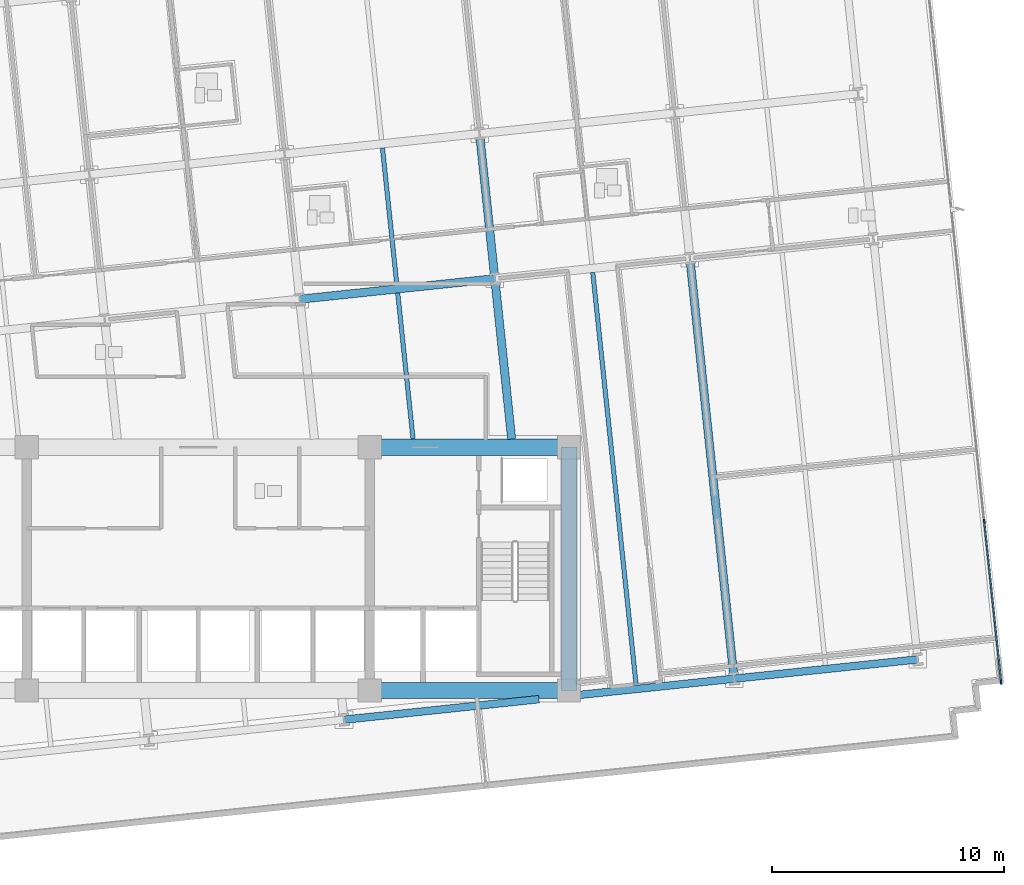
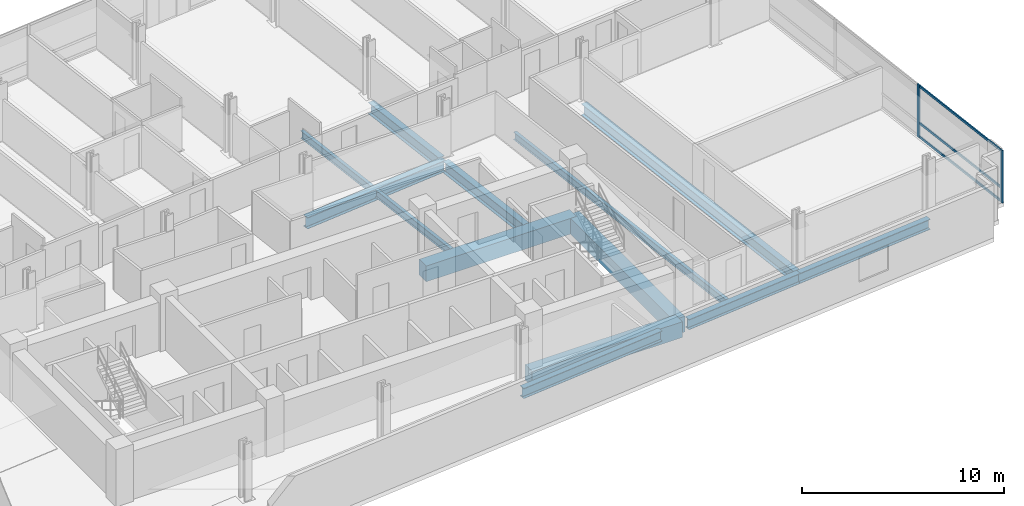
# One storey, part 4 of 20: 13 beams, 5 members, 1 element without a shape of its own.
"""IFC4 building model written with IfcOpenShell, lengths in metres."""

from ifc_helpers import new_model, si_unit, direction, frame, origin, origin_2d, place, context, subcontext, project, spatial, rectangle, i_section, extrude, material, material_profile, profile_set, type_object, element, aggregate, save


model = new_model("IFC4")

# Units and contexts
model_context = context("Model", 3, precision=1e-05, world=origin(), true_north=direction((0.0, 1.0)))
body_context = subcontext(model_context, "Body", "Model", "MODEL_VIEW")
ifc_project = project(units=[si_unit("LENGTHUNIT", "METRE"), si_unit("AREAUNIT", "SQUARE_METRE"), si_unit("VOLUMEUNIT", "CUBIC_METRE"), si_unit("PLANEANGLEUNIT", "RADIAN"), si_unit("MASSUNIT", "GRAM", prefix="KILO")], contexts=[model_context])

# Site, building, storey
site_placement = place(None, origin())
site = spatial("IfcSite", under=ifc_project, at=site_placement, CompositionType="ELEMENT")
building_placement = place(site_placement, origin())
building = spatial("IfcBuilding", under=site, at=building_placement, Name="Solmavex Isthmus Hotel", CompositionType="ELEMENT")
storey_placement = place(building_placement, frame((0.0, 0.0, 87.0)))
storey = spatial("IfcBuildingStorey", under=building, at=storey_placement, Name="L23", CompositionType="ELEMENT", Elevation=87.0)

# Beams
ifc_material_1 = material(Name="Steel ASTM A992 Grade 50", Category="steel")
ifc_material_profile_1 = material_profile(ifc_material_1, i_section(OverallWidth=0.354736328125, OverallDepth=0.695556640625, WebThickness=0.015380859375, FlangeThickness=0.02490234375, FilletRadius=0.017822265625, at=origin_2d()), Name="W27X146")
ifc_profile_set_1 = profile_set([ifc_material_profile_1], Name="Steel ASTM A992 Grade 50")
beam_type_1 = type_object("IfcBeamType", Name="BM-BG-W27X146", PredefinedType="BEAM", material=ifc_profile_set_1)
beam_1_placement = place(storey_placement, frame((4.38037109375, 3.888427734375, -0.607666015625), z_axis=(0.994521085209, 0.104536171134, 0.0), x_axis=(-0.104536171134, 0.994521085209, 0.0)))
element("IfcBeam", 1, at=beam_1_placement, inside=storey, type_object=beam_type_1, Name="Floor Girder L23-UG10", PredefinedType="BEAM", context=body_context, shape_type="SweptSolid", body=[
    extrude(i_section(OverallWidth=0.354736328125, OverallDepth=0.695556640625, WebThickness=0.015380859375, FlangeThickness=0.02490234375, FilletRadius=0.017822265625, at=origin_2d()), origin(), (0.0, 0.0, 1.0), 8.466064453125),
])
beam_2_placement = place(storey_placement, frame((13.52783203125, -2.14990234375, -0.607666015625), z_axis=(-0.104544283528, 0.994520232465, 0.0), x_axis=(-0.994520232465, -0.104544283528, 0.0)))
element("IfcBeam", 2, at=beam_2_placement, inside=storey, type_object=beam_type_1, Name="Floor Beam L23-VG40", PredefinedType="BEAM", context=body_context, shape_type="SweptSolid", body=[
    extrude(i_section(OverallWidth=0.354736328125, OverallDepth=0.695556640625, WebThickness=0.015380859375, FlangeThickness=0.02490234375, FilletRadius=0.017822265625, at=origin_2d()), origin(), (0.0, 0.0, 1.0), 6.783935546875),
])
beam_3_placement = place(storey_placement, frame((12.781494140625, 4.949951171875, -0.607666015625), z_axis=(-0.104505160346, 0.994524344328, 0.0), x_axis=(-0.994524344328, -0.104505160346, 0.0)))
element("IfcBeam", 3, at=beam_3_placement, inside=storey, type_object=beam_type_1, Name="Floor Beam L23-VG41", PredefinedType="BEAM", context=body_context, shape_type="SweptSolid", body=[
    extrude(i_section(OverallWidth=0.354736328125, OverallDepth=0.695556640625, WebThickness=0.015380859375, FlangeThickness=0.02490234375, FilletRadius=0.017822265625, at=origin_2d()), origin(), (0.0, 0.0, 1.0), 5.943115234375),
])
beam_4_placement = place(storey_placement, frame((23.1103515625, -12.329345703125, -0.607666015625), z_axis=(-0.104530088192, 0.99452172458, 0.0), x_axis=(-0.99452172458, -0.104530088192, 0.0)))
element("IfcBeam", 4, at=beam_4_placement, inside=storey, type_object=beam_type_1, Name="Floor Beam L23-VG43", PredefinedType="BEAM", context=body_context, shape_type="SweptSolid", body=[
    extrude(i_section(OverallWidth=0.354736328125, OverallDepth=0.695556640625, WebThickness=0.015380859375, FlangeThickness=0.02490234375, FilletRadius=0.017822265625, at=origin_2d()), origin(), (0.0, 0.0, 1.0), 17.909423828125),
])
ifc_material_profile_2 = material_profile(ifc_material_1, i_section(OverallWidth=0.1904296875, OverallDepth=0.456787109375, WebThickness=0.009033203125, FlangeThickness=0.014404296875, FilletRadius=0.0126953125, at=origin_2d()), Name="W18X50")
ifc_profile_set_2 = profile_set([ifc_material_profile_2], Name="Steel ASTM A992 Grade 50")
beam_type_2 = type_object("IfcBeamType", Name="BM-BJ-W18X50", PredefinedType="JOIST", material=ifc_profile_set_2)
beam_5_placement = place(storey_placement, frame((9.271484375, -2.14990234375, -0.488525390625), z_axis=(-0.104524400071, 0.994522322419, 0.0), x_axis=(-0.994522322419, -0.104524400071, 0.0)))
element("IfcBeam", 5, at=beam_5_placement, inside=storey, type_object=beam_type_2, Name="Secondary Floor Joist L23-J13", PredefinedType="JOIST", context=body_context, shape_type="SweptSolid", body=[
    extrude(i_section(OverallWidth=0.1904296875, OverallDepth=0.456787109375, WebThickness=0.009033203125, FlangeThickness=0.014404296875, FilletRadius=0.0126953125, at=origin_2d()), origin(), (0.0, 0.0, 1.0), 6.339111328125),
])
beam_6_placement = place(storey_placement, frame((8.57177734375, 4.50732421875, -0.488525390625), z_axis=(-0.104545790518, 0.994520074048, 0.0), x_axis=(-0.994520074048, -0.104545790518, 0.0)))
element("IfcBeam", 6, at=beam_6_placement, inside=storey, type_object=beam_type_2, Name="Secondary Floor Joist L23-J14", PredefinedType="JOIST", context=body_context, shape_type="SweptSolid", body=[
    extrude(i_section(OverallWidth=0.1904296875, OverallDepth=0.456787109375, WebThickness=0.009033203125, FlangeThickness=0.014404296875, FilletRadius=0.0126953125, at=origin_2d()), origin(), (0.0, 0.0, 1.0), 5.943115234375),
])
beam_7_placement = place(storey_placement, frame((18.900390625, -12.771728515625, -0.488525390625), z_axis=(-0.104516605126, 0.994523141638, 0.0), x_axis=(-0.994523141638, -0.104516605126, 0.0)))
element("IfcBeam", 7, at=beam_7_placement, inside=storey, type_object=beam_type_2, Name="Secondary Floor Joist L23-J16", PredefinedType="JOIST", context=body_context, shape_type="SweptSolid", body=[
    extrude(i_section(OverallWidth=0.1904296875, OverallDepth=0.456787109375, WebThickness=0.009033203125, FlangeThickness=0.014404296875, FilletRadius=0.0126953125, at=origin_2d()), origin(), (0.0, 0.0, 1.0), 17.909423828125),
])
ifc_material_2 = material(Name="Concrete C60/75", Category="concrete")
ifc_material_profile_3 = material_profile(ifc_material_2, rectangle(XDim=0.699951171875, YDim=0.949951171875, at=origin_2d()), Name="RC700X950")
ifc_profile_set_3 = profile_set([ifc_material_profile_3], Name="Concrete C60/75")
beam_type_3 = type_object("IfcBeamType", Name="BM-CB-700X950", PredefinedType="BEAM", material=ifc_profile_set_3)
for number, where, z_axis, x_axis, name in (
    (8, (7.39990234375, -13.0, -0.735107421875), (1.0, 0.0, 0.0), (0.0, 1.0, 0.0), "Core Coupling Beam L23-CB3"),
    (9, (7.39990234375, -2.5, -0.735107421875), (1.0, 0.0, 0.0), (0.0, 1.0, 0.0), "Core Coupling Beam L23-CB6"),
):
    element("IfcBeam", number, at=place(storey_placement, frame(where, z_axis=z_axis, x_axis=x_axis)), inside=storey, type_object=beam_type_3, Name=name, PredefinedType="BEAM", context=body_context, shape_type="SweptSolid", body=[
        extrude(rectangle(XDim=0.699951171875, YDim=0.949951171875, at=origin_2d()), origin(), (0.0, 0.0, 1.0), 8.60009765625),
    ])
beam_8_placement = place(storey_placement, frame((16.0, -13.0, -0.735107421875), z_axis=(0.0, 1.0, 0.0), x_axis=(-1.0, 0.0, 0.0)))
element("IfcBeam", 10, at=beam_8_placement, inside=storey, type_object=beam_type_3, Name="Core Coupling Beam L23-CB8", PredefinedType="BEAM", context=body_context, shape_type="SweptSolid", body=[
    extrude(rectangle(XDim=0.699951171875, YDim=0.949951171875, at=origin_2d()), origin(), (0.0, 0.0, 1.0), 10.5),
])
ifc_material_profile_4 = material_profile(ifc_material_1, i_section(OverallWidth=0.326416015625, OverallDepth=0.621826171875, WebThickness=0.015380859375, FlangeThickness=0.0244140625, FilletRadius=0.01513671875, at=origin_2d()), Name="W24X131")
ifc_profile_set_4 = profile_set([ifc_material_profile_4], Name="Steel ASTM A992 Grade 50")
beam_type_4 = type_object("IfcBeamType", Name="BM-SP-W24X131", PredefinedType="SPANDREL", material=ifc_profile_set_4)
beam_9_placement = place(storey_placement, frame((6.2880859375, -14.261474609375, -0.57080078125), z_axis=(0.994524082861, 0.104507648572, 0.0), x_axis=(-0.104507648572, 0.994524082861, 0.0)))
element("IfcBeam", 11, at=beam_9_placement, inside=storey, type_object=beam_type_4, Name="Floor Girder L23-UG04", PredefinedType="SPANDREL", context=body_context, shape_type="SweptSolid", body=[
    extrude(i_section(OverallWidth=0.326416015625, OverallDepth=0.621826171875, WebThickness=0.015380859375, FlangeThickness=0.0244140625, FilletRadius=0.01513671875, at=origin_2d()), origin(), (0.0, 0.0, 1.0), 8.466064453125),
])
beam_10_placement = place(storey_placement, frame((16.35009765625, -13.2041015625, -0.57080078125), z_axis=(0.994520754079, 0.10453932134, 0.0), x_axis=(-0.10453932134, 0.994520754079, 0.0)))
element("IfcBeam", 12, at=beam_10_placement, inside=storey, type_object=beam_type_4, Name="Floor Girder L23-UG05", PredefinedType="SPANDREL", context=body_context, shape_type="SweptSolid", body=[
    extrude(i_section(OverallWidth=0.326416015625, OverallDepth=0.621826171875, WebThickness=0.015380859375, FlangeThickness=0.0244140625, FilletRadius=0.01513671875, at=origin_2d()), origin(), (0.0, 0.0, 1.0), 6.814697265625),
])
beam_11_placement = place(storey_placement, frame((23.12744140625, -12.49169921875, -0.57080078125), z_axis=(0.994520217478, 0.10454442609, 0.0), x_axis=(-0.10454442609, 0.994520217478, 0.0)))
element("IfcBeam", 13, at=beam_11_placement, inside=storey, type_object=beam_type_4, Name="Floor Girder L23-UG06", PredefinedType="SPANDREL", context=body_context, shape_type="SweptSolid", body=[
    extrude(i_section(OverallWidth=0.326416015625, OverallDepth=0.621826171875, WebThickness=0.015380859375, FlangeThickness=0.0244140625, FilletRadius=0.01513671875, at=origin_2d()), origin(), (0.0, 0.0, 1.0), 7.968017578125),
])

# Curtain wall, members
ifc_material_3 = material(Name="Aluminium alloy 6063-T6", Category="aluminium")
curtain_wall_type = type_object("IfcCurtainWallType", Name="CW-SYS-03", PredefinedType="NOTDEFINED", material=ifc_material_3)
curtain_wall_placement = place(storey_placement, origin())
curtain_wall = element("IfcCurtainWall", 14, at=curtain_wall_placement, inside=storey, type_object=curtain_wall_type, Name="Stick Curtain Wall CWL-L23-E1", PredefinedType="NOTDEFINED")
ifc_material_profile_5 = material_profile(ifc_material_3, rectangle(XDim=0.070068359375, YDim=0.179931640625, at=origin_2d()), Name="CWM-70X180")
ifc_profile_set_5 = profile_set([ifc_material_profile_5], Name="Aluminium alloy 6063-T6")
member_type_1 = type_object("IfcMemberType", Name="CW-SYS-03-MUL", PredefinedType="MULLION", material=ifc_profile_set_5)
member_1_placement = place(storey_placement, frame((34.6552734375, -12.652587890625, 0.0), z_axis=(0.0, 0.0, 1.0), x_axis=(-0.994521893044, -0.104528485381, 0.0)))
member_1 = element("IfcMember", 15, at=member_1_placement, type_object=member_type_1, Name="CW-03 mullion 1", PredefinedType="MULLION", context=body_context, shape_type="SweptSolid", body=[
    extrude(rectangle(XDim=0.070068359375, YDim=0.179931640625, at=origin_2d()), origin(), (0.0, 0.0, 1.0), 3.18994140625),
])
member_2_placement = place(storey_placement, frame((33.92529296875, -5.705810546875, 0.0), z_axis=(0.0, 0.0, 1.0), x_axis=(-0.994521893044, -0.104528485381, 0.0)))
member_2 = element("IfcMember", 16, at=member_2_placement, type_object=member_type_1, Name="CW-03 mullion 2", PredefinedType="MULLION", context=body_context, shape_type="SweptSolid", body=[
    extrude(rectangle(XDim=0.070068359375, YDim=0.179931640625, at=origin_2d()), origin(), (0.0, 0.0, 1.0), 3.18994140625),
])
ifc_material_profile_6 = material_profile(ifc_material_3, rectangle(XDim=0.070068359375, YDim=0.139892578125, at=origin_2d()), Name="CWT-70X140")
ifc_profile_set_6 = profile_set([ifc_material_profile_6], Name="Aluminium alloy 6063-T6")
member_type_2 = type_object("IfcMemberType", Name="CW-SYS-03-TRN", PredefinedType="USERDEFINED", material=ifc_profile_set_6)
member_3_placement = place(storey_placement, frame((34.651611328125, -12.61767578125, 0.070068359375), z_axis=(-0.104508345235, 0.994524009653, 0.0), x_axis=(-0.994524009653, -0.104508345235, 0.0)))
member_3 = element("IfcMember", 17, at=member_3_placement, type_object=member_type_2, Name="CW-03 transom 1.1", ObjectType="TRANSOM", PredefinedType="USERDEFINED", context=body_context, shape_type="SweptSolid", body=[
    extrude(rectangle(XDim=0.070068359375, YDim=0.139892578125, at=origin_2d()), origin(), (0.0, 0.0, 1.0), 6.914794921875),
])
member_4_placement = place(storey_placement, frame((34.651611328125, -12.61767578125, 0.89990234375), z_axis=(-0.104508345235, 0.994524009653, 0.0), x_axis=(-0.994524009653, -0.104508345235, 0.0)))
member_4 = element("IfcMember", 18, at=member_4_placement, type_object=member_type_2, Name="CW-03 transom 1.2", ObjectType="TRANSOM", PredefinedType="USERDEFINED", context=body_context, shape_type="SweptSolid", body=[
    extrude(rectangle(XDim=0.070068359375, YDim=0.139892578125, at=origin_2d()), origin(), (0.0, 0.0, 1.0), 6.914794921875),
])
member_5_placement = place(storey_placement, frame((34.651611328125, -12.61767578125, 3.1201171875), z_axis=(-0.104508345235, 0.994524009653, 0.0), x_axis=(-0.994524009653, -0.104508345235, 0.0)))
member_5 = element("IfcMember", 19, at=member_5_placement, type_object=member_type_2, Name="CW-03 transom 1.3", ObjectType="TRANSOM", PredefinedType="USERDEFINED", context=body_context, shape_type="SweptSolid", body=[
    extrude(rectangle(XDim=0.070068359375, YDim=0.139892578125, at=origin_2d()), origin(), (0.0, 0.0, 1.0), 6.914794921875),
])
aggregate(curtain_wall, [member_1, member_2, member_3, member_4, member_5])

save(model, "model.ifc")
